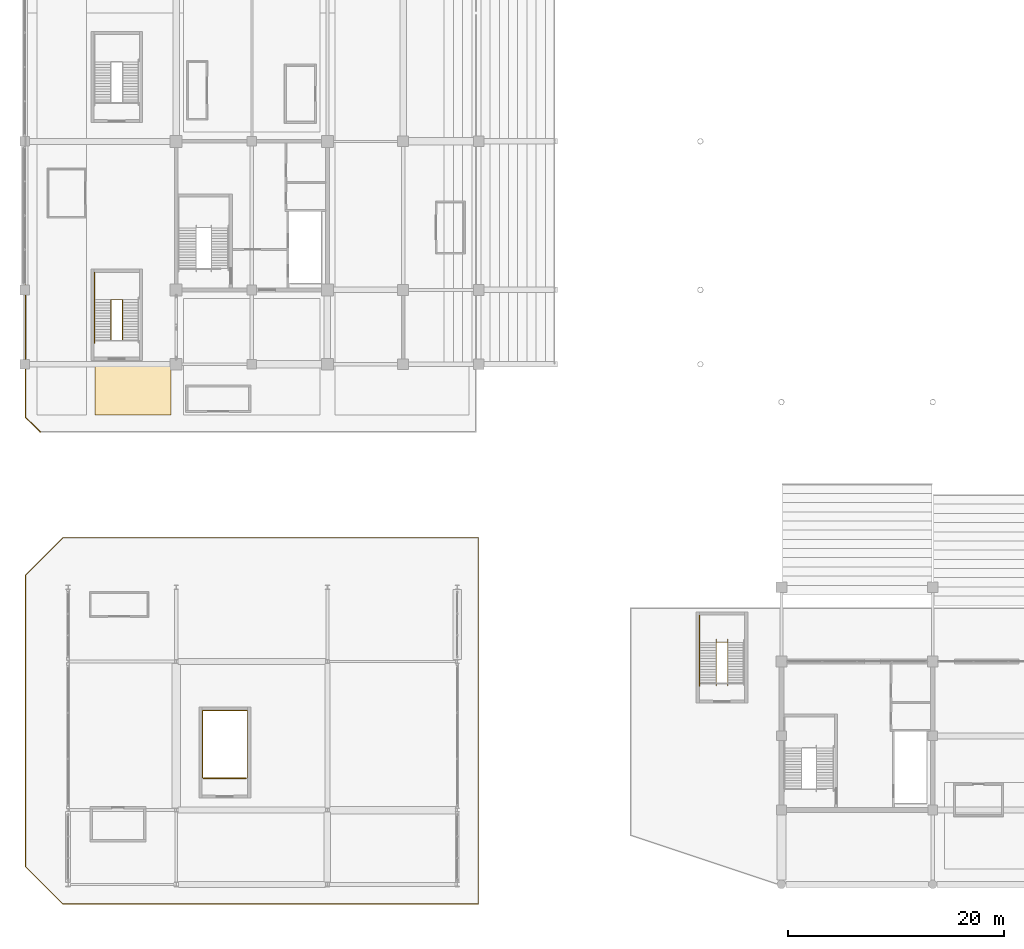
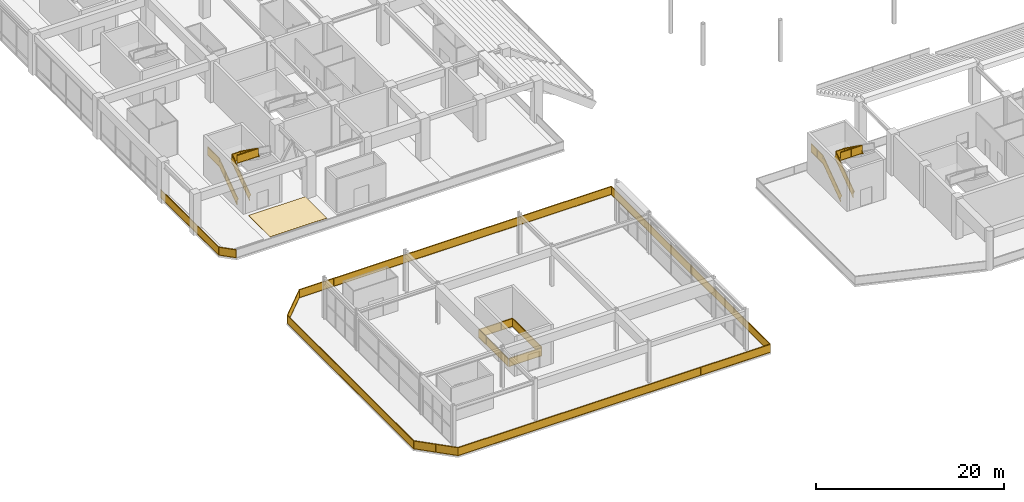
# One storey, part 103 of 117: 8 railings, 1 covering.
"""IFC4 building model written with IfcOpenShell, lengths in metres."""

from ifc_helpers import new_model, si_unit, direction, frame, origin, origin_2d, place, context, subcontext, project, spatial, polyline, rectangle, outline, extrude, material, layer, layer_set, type_object, element, save


model = new_model("IFC4")

# Units and contexts
model_context = context("Model", 3, precision=1e-05, world=origin(), true_north=direction((0.0, 1.0)))
body_context = subcontext(model_context, "Body", "Model", "MODEL_VIEW")
ifc_project = project(units=[si_unit("LENGTHUNIT", "METRE"), si_unit("AREAUNIT", "SQUARE_METRE"), si_unit("VOLUMEUNIT", "CUBIC_METRE"), si_unit("PLANEANGLEUNIT", "RADIAN"), si_unit("MASSUNIT", "GRAM", prefix="KILO")], contexts=[model_context])

# Site, building, storey
site_placement = place(None, origin())
site = spatial("IfcSite", under=ifc_project, at=site_placement, CompositionType="ELEMENT")
building_placement = place(site_placement, origin())
building = spatial("IfcBuilding", under=site, at=building_placement, Name="Linyun Crest Stadium", CompositionType="ELEMENT")
storey_placement = place(building_placement, frame((0.0, 0.0, 6.0)))
storey = spatial("IfcBuildingStorey", under=building, at=storey_placement, Name="L02", CompositionType="ELEMENT", Elevation=6.0)

# Covering
ifc_material_1 = material(Name="Terrazzo concourse and hospitality floor finish")
ifc_layer = layer(ifc_material_1, 0.02197265625)
ifc_layer_set = layer_set([ifc_layer], Name="Terrazzo concourse and hospitality floor finish")
covering_type = type_object("IfcCoveringType", Name="FLR02", PredefinedType="FLOORING", material=ifc_layer_set)
covering_placement = place(storey_placement, origin())
element("IfcCovering", 1, at=covering_placement, inside=storey, type_object=covering_type, Name="Terrazzo flooring FLR02 60", PredefinedType="FLOORING", context=body_context, shape_type="SweptSolid", body=[
    extrude(outline(polyline([(-91.5, -50.699951171875), (-84.5, -50.699951171875), (-84.5, -46.10009765625), (-91.5, -46.10009765625), (-91.5, -50.699951171875)])), origin(), (0.0, 0.0, 1.0), 0.02197265625),
])

# Railings
ifc_material_2 = material(Name="Galvanized and powder-coated steel bowl safety barrier", Category="steel")
railing_type_1 = type_object("IfcRailingType", Name="GR02", PredefinedType="GUARDRAIL", material=ifc_material_2)
railing_1_placement = place(storey_placement, frame((-96.574951171875, -52.27490234375, 0.0)))
element("IfcRailing", 2, at=railing_1_placement, inside=storey, type_object=railing_type_1, Name="Slab edge balustrade GR02 19", PredefinedType="GUARDRAIL", context=body_context, shape_type="SweptSolid", body=[
    extrude(rectangle(XDim=0.06005859375, YDim=0.06005859375, at=origin_2d()), frame((0.0, 0.0, 1.090087890625), z_axis=(-0.707106781187, 0.707106781187, 0.0), x_axis=(-0.707106781187, -0.707106781187, 0.0)), (0.0, 0.0, 1.0), 1.930419921875),
    extrude(rectangle(XDim=0.030029296875, YDim=1.0, at=origin_2d()), frame((0.0, 0.0, 0.56005859375), z_axis=(-0.707106781187, 0.707106781187, 0.0), x_axis=(-0.707106781187, -0.707106781187, 0.0)), (0.0, 0.0, 1.0), 1.930419921875),
    extrude(rectangle(XDim=0.06005859375, YDim=0.06005859375, at=origin_2d()), frame((0.0, 0.0, 0.030029296875), z_axis=(-0.707106781187, 0.707106781187, 0.0), x_axis=(-0.707106781187, -0.707106781187, 0.0)), (0.0, 0.0, 1.0), 1.930419921875),
    extrude(rectangle(XDim=0.06005859375, YDim=0.06005859375, at=origin_2d()), frame((-1.364990234375, 1.364990234375, 1.090087890625), z_axis=(0.0, 1.0, 0.0), x_axis=(-1.0, 0.0, 0.0)), (0.0, 0.0, 1.0), 12.3349609375),
    extrude(rectangle(XDim=0.030029296875, YDim=1.0, at=origin_2d()), frame((-1.364990234375, 1.364990234375, 0.56005859375), z_axis=(0.0, 1.0, 0.0), x_axis=(-1.0, 0.0, 0.0)), (0.0, 0.0, 1.0), 12.3349609375),
    extrude(rectangle(XDim=0.06005859375, YDim=0.06005859375, at=origin_2d()), frame((-1.364990234375, 1.364990234375, 0.030029296875), z_axis=(0.0, 1.0, 0.0), x_axis=(-1.0, 0.0, 0.0)), (0.0, 0.0, 1.0), 12.3349609375),
    extrude(rectangle(XDim=0.050048828125, YDim=0.050048828125, at=origin_2d()), origin(), (0.0, 0.0, 1.0), 1.1201171875),
    extrude(rectangle(XDim=0.050048828125, YDim=0.050048828125, at=origin_2d()), frame((-1.364990234375, 1.364990234375, 0.0)), (0.0, 0.0, 1.0), 1.1201171875),
    extrude(rectangle(XDim=0.050048828125, YDim=0.050048828125, at=origin_2d()), frame((-1.364990234375, 5.4765625, 0.0)), (0.0, 0.0, 1.0), 1.1201171875),
    extrude(rectangle(XDim=0.050048828125, YDim=0.050048828125, at=origin_2d()), frame((-1.364990234375, 9.58837890625, 0.0)), (0.0, 0.0, 1.0), 1.1201171875),
    extrude(rectangle(XDim=0.050048828125, YDim=0.050048828125, at=origin_2d()), frame((-1.364990234375, 13.699951171875, 0.0)), (0.0, 0.0, 1.0), 1.1201171875),
])
railing_2_placement = place(storey_placement, frame((-94.47509765625, -95.93994140625, 0.0)))
element("IfcRailing", 3, at=railing_2_placement, inside=storey, type_object=railing_type_1, Name="Slab edge balustrade GR02 381", PredefinedType="GUARDRAIL", context=body_context, shape_type="SweptSolid", body=[
    extrude(rectangle(XDim=0.06005859375, YDim=0.06005859375, at=origin_2d()), frame((0.0, 0.0, 1.090087890625), z_axis=(-0.707106781187, 0.707106781187, 0.0), x_axis=(-0.707106781187, -0.707106781187, 0.0)), (0.0, 0.0, 1.0), 4.900146484375),
    extrude(rectangle(XDim=0.030029296875, YDim=1.0, at=origin_2d()), frame((0.0, 0.0, 0.56005859375), z_axis=(-0.707106781187, 0.707106781187, 0.0), x_axis=(-0.707106781187, -0.707106781187, 0.0)), (0.0, 0.0, 1.0), 4.900146484375),
    extrude(rectangle(XDim=0.06005859375, YDim=0.06005859375, at=origin_2d()), frame((0.0, 0.0, 0.030029296875), z_axis=(-0.707106781187, 0.707106781187, 0.0), x_axis=(-0.707106781187, -0.707106781187, 0.0)), (0.0, 0.0, 1.0), 4.900146484375),
    extrude(rectangle(XDim=0.06005859375, YDim=0.06005859375, at=origin_2d()), frame((-3.46484375, 3.46484375, 1.090087890625), z_axis=(0.0, 1.0, 0.0), x_axis=(-1.0, 0.0, 0.0)), (0.0, 0.0, 1.0), 26.9501953125),
    extrude(rectangle(XDim=0.030029296875, YDim=1.0, at=origin_2d()), frame((-3.46484375, 3.46484375, 0.56005859375), z_axis=(0.0, 1.0, 0.0), x_axis=(-1.0, 0.0, 0.0)), (0.0, 0.0, 1.0), 26.9501953125),
    extrude(rectangle(XDim=0.06005859375, YDim=0.06005859375, at=origin_2d()), frame((-3.46484375, 3.46484375, 0.030029296875), z_axis=(0.0, 1.0, 0.0), x_axis=(-1.0, 0.0, 0.0)), (0.0, 0.0, 1.0), 26.9501953125),
    extrude(rectangle(XDim=0.06005859375, YDim=0.06005859375, at=origin_2d()), frame((-3.46484375, 30.4150390625, 1.090087890625), z_axis=(0.707106781187, 0.707106781187, 0.0), x_axis=(-0.707106781187, 0.707106781187, 0.0)), (0.0, 0.0, 1.0), 4.900146484375),
    extrude(rectangle(XDim=0.030029296875, YDim=1.0, at=origin_2d()), frame((-3.46484375, 30.4150390625, 0.56005859375), z_axis=(0.707106781187, 0.707106781187, 0.0), x_axis=(-0.707106781187, 0.707106781187, 0.0)), (0.0, 0.0, 1.0), 4.900146484375),
    extrude(rectangle(XDim=0.06005859375, YDim=0.06005859375, at=origin_2d()), frame((-3.46484375, 30.4150390625, 0.030029296875), z_axis=(0.707106781187, 0.707106781187, 0.0), x_axis=(-0.707106781187, 0.707106781187, 0.0)), (0.0, 0.0, 1.0), 4.900146484375),
    extrude(rectangle(XDim=0.06005859375, YDim=0.06005859375, at=origin_2d()), frame((0.0, 33.8798828125, 1.090087890625), z_axis=(1.0, 0.0, 0.0), x_axis=(0.0, 1.0, 0.0)), (0.0, 0.0, 1.0), 38.4150390625),
    extrude(rectangle(XDim=0.030029296875, YDim=1.0, at=origin_2d()), frame((0.0, 33.8798828125, 0.56005859375), z_axis=(1.0, 0.0, 0.0), x_axis=(0.0, 1.0, 0.0)), (0.0, 0.0, 1.0), 38.4150390625),
    extrude(rectangle(XDim=0.06005859375, YDim=0.06005859375, at=origin_2d()), frame((0.0, 33.8798828125, 0.030029296875), z_axis=(1.0, 0.0, 0.0), x_axis=(0.0, 1.0, 0.0)), (0.0, 0.0, 1.0), 38.4150390625),
    extrude(rectangle(XDim=0.06005859375, YDim=0.06005859375, at=origin_2d()), frame((38.4150390625, 33.8798828125, 1.090087890625), z_axis=(0.0, -1.0, 0.0), x_axis=(1.0, 0.0, 0.0)), (0.0, 0.0, 1.0), 33.8798828125),
    extrude(rectangle(XDim=0.030029296875, YDim=1.0, at=origin_2d()), frame((38.4150390625, 33.8798828125, 0.56005859375), z_axis=(0.0, -1.0, 0.0), x_axis=(1.0, 0.0, 0.0)), (0.0, 0.0, 1.0), 33.8798828125),
    extrude(rectangle(XDim=0.06005859375, YDim=0.06005859375, at=origin_2d()), frame((38.4150390625, 33.8798828125, 0.030029296875), z_axis=(0.0, -1.0, 0.0), x_axis=(1.0, 0.0, 0.0)), (0.0, 0.0, 1.0), 33.8798828125),
    extrude(rectangle(XDim=0.06005859375, YDim=0.06005859375, at=origin_2d()), frame((38.4150390625, 0.0, 1.090087890625), z_axis=(-1.0, 0.0, 0.0), x_axis=(0.0, -1.0, 0.0)), (0.0, 0.0, 1.0), 38.4150390625),
    extrude(rectangle(XDim=0.030029296875, YDim=1.0, at=origin_2d()), frame((38.4150390625, 0.0, 0.56005859375), z_axis=(-1.0, 0.0, 0.0), x_axis=(0.0, -1.0, 0.0)), (0.0, 0.0, 1.0), 38.4150390625),
    extrude(rectangle(XDim=0.06005859375, YDim=0.06005859375, at=origin_2d()), frame((38.4150390625, 0.0, 0.030029296875), z_axis=(-1.0, 0.0, 0.0), x_axis=(0.0, -1.0, 0.0)), (0.0, 0.0, 1.0), 38.4150390625),
    extrude(rectangle(XDim=0.050048828125, YDim=0.050048828125, at=origin_2d()), origin(), (0.0, 0.0, 1.0), 1.1201171875),
    extrude(rectangle(XDim=0.050048828125, YDim=0.050048828125, at=origin_2d()), frame((-1.732421875, 1.732421875, 0.0)), (0.0, 0.0, 1.0), 1.1201171875),
    extrude(rectangle(XDim=0.050048828125, YDim=0.050048828125, at=origin_2d()), frame((-3.46484375, 3.46484375, 0.0)), (0.0, 0.0, 1.0), 1.1201171875),
    extrude(rectangle(XDim=0.050048828125, YDim=0.050048828125, at=origin_2d()), frame((-3.46484375, 7.95654296875, 0.0)), (0.0, 0.0, 1.0), 1.1201171875),
    extrude(rectangle(XDim=0.050048828125, YDim=0.050048828125, at=origin_2d()), frame((-3.46484375, 12.4482421875, 0.0)), (0.0, 0.0, 1.0), 1.1201171875),
    extrude(rectangle(XDim=0.050048828125, YDim=0.050048828125, at=origin_2d()), frame((-3.46484375, 16.93994140625, 0.0)), (0.0, 0.0, 1.0), 1.1201171875),
    extrude(rectangle(XDim=0.050048828125, YDim=0.050048828125, at=origin_2d()), frame((-3.46484375, 21.431640625, 0.0)), (0.0, 0.0, 1.0), 1.1201171875),
    extrude(rectangle(XDim=0.050048828125, YDim=0.050048828125, at=origin_2d()), frame((-3.46484375, 25.92333984375, 0.0)), (0.0, 0.0, 1.0), 1.1201171875),
    extrude(rectangle(XDim=0.050048828125, YDim=0.050048828125, at=origin_2d()), frame((-3.46484375, 30.4150390625, 0.0)), (0.0, 0.0, 1.0), 1.1201171875),
    extrude(rectangle(XDim=0.050048828125, YDim=0.050048828125, at=origin_2d()), frame((-1.732421875, 32.1474609375, 0.0)), (0.0, 0.0, 1.0), 1.1201171875),
    extrude(rectangle(XDim=0.050048828125, YDim=0.050048828125, at=origin_2d()), frame((0.0, 33.8798828125, 0.0)), (0.0, 0.0, 1.0), 1.1201171875),
    extrude(rectangle(XDim=0.050048828125, YDim=0.050048828125, at=origin_2d()), frame((4.268310546875, 33.8798828125, 0.0)), (0.0, 0.0, 1.0), 1.1201171875),
    extrude(rectangle(XDim=0.050048828125, YDim=0.050048828125, at=origin_2d()), frame((8.53662109375, 33.8798828125, 0.0)), (0.0, 0.0, 1.0), 1.1201171875),
    extrude(rectangle(XDim=0.050048828125, YDim=0.050048828125, at=origin_2d()), frame((12.804931640625, 33.8798828125, 0.0)), (0.0, 0.0, 1.0), 1.1201171875),
    extrude(rectangle(XDim=0.050048828125, YDim=0.050048828125, at=origin_2d()), frame((17.0732421875, 33.8798828125, 0.0)), (0.0, 0.0, 1.0), 1.1201171875),
    extrude(rectangle(XDim=0.050048828125, YDim=0.050048828125, at=origin_2d()), frame((21.341796875, 33.8798828125, 0.0)), (0.0, 0.0, 1.0), 1.1201171875),
    extrude(rectangle(XDim=0.050048828125, YDim=0.050048828125, at=origin_2d()), frame((25.610107421875, 33.8798828125, 0.0)), (0.0, 0.0, 1.0), 1.1201171875),
    extrude(rectangle(XDim=0.050048828125, YDim=0.050048828125, at=origin_2d()), frame((29.87841796875, 33.8798828125, 0.0)), (0.0, 0.0, 1.0), 1.1201171875),
    extrude(rectangle(XDim=0.050048828125, YDim=0.050048828125, at=origin_2d()), frame((34.146728515625, 33.8798828125, 0.0)), (0.0, 0.0, 1.0), 1.1201171875),
    extrude(rectangle(XDim=0.050048828125, YDim=0.050048828125, at=origin_2d()), frame((38.4150390625, 33.8798828125, 0.0)), (0.0, 0.0, 1.0), 1.1201171875),
    extrude(rectangle(XDim=0.050048828125, YDim=0.050048828125, at=origin_2d()), frame((38.4150390625, 29.64501953125, 0.0)), (0.0, 0.0, 1.0), 1.1201171875),
    extrude(rectangle(XDim=0.050048828125, YDim=0.050048828125, at=origin_2d()), frame((38.4150390625, 25.409912109375, 0.0)), (0.0, 0.0, 1.0), 1.1201171875),
    extrude(rectangle(XDim=0.050048828125, YDim=0.050048828125, at=origin_2d()), frame((38.4150390625, 21.1748046875, 0.0)), (0.0, 0.0, 1.0), 1.1201171875),
    extrude(rectangle(XDim=0.050048828125, YDim=0.050048828125, at=origin_2d()), frame((38.4150390625, 16.93994140625, 0.0)), (0.0, 0.0, 1.0), 1.1201171875),
    extrude(rectangle(XDim=0.050048828125, YDim=0.050048828125, at=origin_2d()), frame((38.4150390625, 12.705078125, 0.0)), (0.0, 0.0, 1.0), 1.1201171875),
    extrude(rectangle(XDim=0.050048828125, YDim=0.050048828125, at=origin_2d()), frame((38.4150390625, 8.469970703125, 0.0)), (0.0, 0.0, 1.0), 1.1201171875),
    extrude(rectangle(XDim=0.050048828125, YDim=0.050048828125, at=origin_2d()), frame((38.4150390625, 4.23486328125, 0.0)), (0.0, 0.0, 1.0), 1.1201171875),
    extrude(rectangle(XDim=0.050048828125, YDim=0.050048828125, at=origin_2d()), frame((38.4150390625, 0.0, 0.0)), (0.0, 0.0, 1.0), 1.1201171875),
    extrude(rectangle(XDim=0.050048828125, YDim=0.050048828125, at=origin_2d()), frame((34.146728515625, 0.0, 0.0)), (0.0, 0.0, 1.0), 1.1201171875),
    extrude(rectangle(XDim=0.050048828125, YDim=0.050048828125, at=origin_2d()), frame((29.87841796875, 0.0, 0.0)), (0.0, 0.0, 1.0), 1.1201171875),
    extrude(rectangle(XDim=0.050048828125, YDim=0.050048828125, at=origin_2d()), frame((25.610107421875, 0.0, 0.0)), (0.0, 0.0, 1.0), 1.1201171875),
    extrude(rectangle(XDim=0.050048828125, YDim=0.050048828125, at=origin_2d()), frame((21.341796875, 0.0, 0.0)), (0.0, 0.0, 1.0), 1.1201171875),
    extrude(rectangle(XDim=0.050048828125, YDim=0.050048828125, at=origin_2d()), frame((17.0732421875, 0.0, 0.0)), (0.0, 0.0, 1.0), 1.1201171875),
    extrude(rectangle(XDim=0.050048828125, YDim=0.050048828125, at=origin_2d()), frame((12.804931640625, 0.0, 0.0)), (0.0, 0.0, 1.0), 1.1201171875),
    extrude(rectangle(XDim=0.050048828125, YDim=0.050048828125, at=origin_2d()), frame((8.53662109375, 0.0, 0.0)), (0.0, 0.0, 1.0), 1.1201171875),
    extrude(rectangle(XDim=0.050048828125, YDim=0.050048828125, at=origin_2d()), frame((4.268310546875, 0.0, 0.0)), (0.0, 0.0, 1.0), 1.1201171875),
])
railing_3_placement = place(storey_placement, frame((-81.4599609375, -84.31005859375, 0.0)))
element("IfcRailing", 4, at=railing_3_placement, inside=storey, type_object=railing_type_1, Name="Slab edge balustrade GR02 382", PredefinedType="GUARDRAIL", context=body_context, shape_type="SweptSolid", body=[
    extrude(rectangle(XDim=0.06005859375, YDim=0.06005859375, at=origin_2d()), frame((0.0, 0.0, 1.090087890625), z_axis=(1.0, 0.0, 0.0), x_axis=(0.0, 1.0, 0.0)), (0.0, 0.0, 1.0), 3.919921875),
    extrude(rectangle(XDim=0.030029296875, YDim=1.0, at=origin_2d()), frame((0.0, 0.0, 0.56005859375), z_axis=(1.0, 0.0, 0.0), x_axis=(0.0, 1.0, 0.0)), (0.0, 0.0, 1.0), 3.919921875),
    extrude(rectangle(XDim=0.06005859375, YDim=0.06005859375, at=origin_2d()), frame((0.0, 0.0, 0.030029296875), z_axis=(1.0, 0.0, 0.0), x_axis=(0.0, 1.0, 0.0)), (0.0, 0.0, 1.0), 3.919921875),
    extrude(rectangle(XDim=0.050048828125, YDim=0.050048828125, at=origin_2d()), origin(), (0.0, 0.0, 1.0), 1.1201171875),
    extrude(rectangle(XDim=0.050048828125, YDim=0.050048828125, at=origin_2d()), frame((3.919921875, 0.0, 0.0)), (0.0, 0.0, 1.0), 1.1201171875),
])
ifc_material_3 = material(Name="Painted steel stairwell safety guard", Category="steel")
railing_type_2 = type_object("IfcRailingType", Name="GR03", PredefinedType="GUARDRAIL", material=ifc_material_3)
railing_4_placement = place(storey_placement, frame((-91.570068359375, -43.780029296875, 0.0)))
element("IfcRailing", 5, at=railing_4_placement, inside=storey, type_object=railing_type_2, Name="STR-13-L02 outer guard", PredefinedType="GUARDRAIL", context=body_context, shape_type="SweptSolid", body=[
    extrude(rectangle(XDim=0.06005859375, YDim=0.06005859375, at=origin_2d()), frame((0.0, 0.0, 1.090087890625), z_axis=(0.0, 0.811539352079, 0.584297766578), x_axis=(-1.0, 0.0, 0.0)), (0.0, 0.0, 1.0), 4.620849609375),
    extrude(rectangle(XDim=0.030029296875, YDim=1.0, at=origin_2d()), frame((0.0, 0.0, 0.56005859375), z_axis=(0.0, 0.811539352079, 0.584297766578), x_axis=(-1.0, 0.0, 0.0)), (0.0, 0.0, 1.0), 4.620849609375),
    extrude(rectangle(XDim=0.06005859375, YDim=0.06005859375, at=origin_2d()), frame((0.0, 0.0, 0.030029296875), z_axis=(0.0, 0.811539352079, 0.584297766578), x_axis=(-1.0, 0.0, 0.0)), (0.0, 0.0, 1.0), 4.620849609375),
    extrude(rectangle(XDim=0.06005859375, YDim=0.06005859375, at=origin_2d()), frame((0.0, 3.75, 3.7900390625), z_axis=(0.0, 1.0, 0.0), x_axis=(-1.0, 0.0, 0.0)), (0.0, 0.0, 1.0), 2.5),
    extrude(rectangle(XDim=0.030029296875, YDim=1.0, at=origin_2d()), frame((0.0, 3.75, 3.260009765625), z_axis=(0.0, 1.0, 0.0), x_axis=(-1.0, 0.0, 0.0)), (0.0, 0.0, 1.0), 2.5),
    extrude(rectangle(XDim=0.06005859375, YDim=0.06005859375, at=origin_2d()), frame((0.0, 3.75, 2.72998046875), z_axis=(0.0, 1.0, 0.0), x_axis=(-1.0, 0.0, 0.0)), (0.0, 0.0, 1.0), 2.5),
    extrude(rectangle(XDim=0.050048828125, YDim=0.050048828125, at=origin_2d()), origin(), (0.0, 0.0, 1.0), 1.1201171875),
    extrude(rectangle(XDim=0.050048828125, YDim=0.050048828125, at=origin_2d()), frame((0.0, 1.25, 0.89990234375)), (0.0, 0.0, 1.0), 1.1201171875),
    extrude(rectangle(XDim=0.050048828125, YDim=0.050048828125, at=origin_2d()), frame((0.0, 2.5, 1.800048828125)), (0.0, 0.0, 1.0), 1.1201171875),
    extrude(rectangle(XDim=0.050048828125, YDim=0.050048828125, at=origin_2d()), frame((0.0, 3.75, 2.699951171875)), (0.0, 0.0, 1.0), 1.1201171875),
    extrude(rectangle(XDim=0.050048828125, YDim=0.050048828125, at=origin_2d()), frame((0.0, 5.0, 2.699951171875)), (0.0, 0.0, 1.0), 1.1201171875),
    extrude(rectangle(XDim=0.050048828125, YDim=0.050048828125, at=origin_2d()), frame((0.0, 6.25, 2.699951171875)), (0.0, 0.0, 1.0), 1.1201171875),
])
railing_5_placement = place(storey_placement, frame((-90.030029296875, -43.800048828125, 0.0)))
element("IfcRailing", 6, at=railing_5_placement, inside=storey, type_object=railing_type_2, Name="STR-13-L02 inner well guard", PredefinedType="GUARDRAIL", context=body_context, shape_type="SweptSolid", body=[
    extrude(rectangle(XDim=0.06005859375, YDim=0.06005859375, at=origin_2d()), frame((0.0, 0.0, 1.090087890625), z_axis=(0.0, 0.813010693788, 0.582248754216), x_axis=(-1.0, 0.0, 0.0)), (0.0, 0.0, 1.0), 4.63720703125),
    extrude(rectangle(XDim=0.030029296875, YDim=1.0, at=origin_2d()), frame((0.0, 0.0, 0.56005859375), z_axis=(0.0, 0.813010693788, 0.582248754216), x_axis=(-1.0, 0.0, 0.0)), (0.0, 0.0, 1.0), 4.63720703125),
    extrude(rectangle(XDim=0.06005859375, YDim=0.06005859375, at=origin_2d()), frame((0.0, 0.0, 0.030029296875), z_axis=(0.0, 0.813010693788, 0.582248754216), x_axis=(-1.0, 0.0, 0.0)), (0.0, 0.0, 1.0), 4.63720703125),
    extrude(rectangle(XDim=0.06005859375, YDim=0.06005859375, at=origin_2d()), frame((0.0, 3.77001953125, 3.7900390625), z_axis=(1.0, 0.0, 0.0), x_axis=(0.0, 1.0, 0.0)), (0.0, 0.0, 1.0), 1.06005859375),
    extrude(rectangle(XDim=0.030029296875, YDim=1.0, at=origin_2d()), frame((0.0, 3.77001953125, 3.260009765625), z_axis=(1.0, 0.0, 0.0), x_axis=(0.0, 1.0, 0.0)), (0.0, 0.0, 1.0), 1.06005859375),
    extrude(rectangle(XDim=0.06005859375, YDim=0.06005859375, at=origin_2d()), frame((0.0, 3.77001953125, 2.72998046875), z_axis=(1.0, 0.0, 0.0), x_axis=(0.0, 1.0, 0.0)), (0.0, 0.0, 1.0), 1.06005859375),
    extrude(rectangle(XDim=0.06005859375, YDim=0.06005859375, at=origin_2d()), frame((1.06005859375, 3.77001953125, 3.7900390625), z_axis=(0.0, -0.813010693788, 0.582248754216), x_axis=(1.0, 0.0, 0.0)), (0.0, 0.0, 1.0), 4.63720703125),
    extrude(rectangle(XDim=0.030029296875, YDim=1.0, at=origin_2d()), frame((1.06005859375, 3.77001953125, 3.260009765625), z_axis=(0.0, -0.813010693788, 0.582248754216), x_axis=(1.0, 0.0, 0.0)), (0.0, 0.0, 1.0), 4.63720703125),
    extrude(rectangle(XDim=0.06005859375, YDim=0.06005859375, at=origin_2d()), frame((1.06005859375, 3.77001953125, 2.72998046875), z_axis=(0.0, -0.813010693788, 0.582248754216), x_axis=(1.0, 0.0, 0.0)), (0.0, 0.0, 1.0), 4.63720703125),
    extrude(rectangle(XDim=0.06005859375, YDim=0.06005859375, at=origin_2d()), frame((1.06005859375, 0.0, 6.489990234375), z_axis=(-1.0, 0.0, 0.0), x_axis=(0.0, -1.0, 0.0)), (0.0, 0.0, 1.0), 2.610107421875),
    extrude(rectangle(XDim=0.030029296875, YDim=1.0, at=origin_2d()), frame((1.06005859375, 0.0, 5.9599609375), z_axis=(-1.0, 0.0, 0.0), x_axis=(0.0, -1.0, 0.0)), (0.0, 0.0, 1.0), 2.610107421875),
    extrude(rectangle(XDim=0.06005859375, YDim=0.06005859375, at=origin_2d()), frame((1.06005859375, 0.0, 5.429931640625), z_axis=(-1.0, 0.0, 0.0), x_axis=(0.0, -1.0, 0.0)), (0.0, 0.0, 1.0), 2.610107421875),
    extrude(rectangle(XDim=0.050048828125, YDim=0.050048828125, at=origin_2d()), origin(), (0.0, 0.0, 1.0), 1.1201171875),
    extrude(rectangle(XDim=0.050048828125, YDim=0.050048828125, at=origin_2d()), frame((0.0, 1.256591796875, 0.89990234375)), (0.0, 0.0, 1.0), 1.1201171875),
    extrude(rectangle(XDim=0.050048828125, YDim=0.050048828125, at=origin_2d()), frame((0.0, 2.513427734375, 1.800048828125)), (0.0, 0.0, 1.0), 1.1201171875),
    extrude(rectangle(XDim=0.050048828125, YDim=0.050048828125, at=origin_2d()), frame((0.0, 3.77001953125, 2.699951171875)), (0.0, 0.0, 1.0), 1.1201171875),
    extrude(rectangle(XDim=0.050048828125, YDim=0.050048828125, at=origin_2d()), frame((1.06005859375, 3.77001953125, 2.699951171875)), (0.0, 0.0, 1.0), 1.1201171875),
    extrude(rectangle(XDim=0.050048828125, YDim=0.050048828125, at=origin_2d()), frame((1.06005859375, 2.513427734375, 3.599853515625)), (0.0, 0.0, 1.0), 1.1201171875),
    extrude(rectangle(XDim=0.050048828125, YDim=0.050048828125, at=origin_2d()), frame((1.06005859375, 1.256591796875, 4.5)), (0.0, 0.0, 1.0), 1.1201171875),
    extrude(rectangle(XDim=0.050048828125, YDim=0.050048828125, at=origin_2d()), frame((1.06005859375, 0.0, 5.39990234375)), (0.0, 0.0, 1.0), 1.1201171875),
    extrude(rectangle(XDim=0.050048828125, YDim=0.050048828125, at=origin_2d()), frame((-0.2451171875, 0.0, 5.39990234375)), (0.0, 0.0, 1.0), 1.1201171875),
    extrude(rectangle(XDim=0.050048828125, YDim=0.050048828125, at=origin_2d()), frame((-1.550048828125, 0.0, 5.39990234375)), (0.0, 0.0, 1.0), 1.1201171875),
])
railing_6_placement = place(storey_placement, frame((-35.570068359375, -75.47998046875, 0.0)))
element("IfcRailing", 7, at=railing_6_placement, inside=storey, type_object=railing_type_2, Name="STR-27-L02 outer guard", PredefinedType="GUARDRAIL", context=body_context, shape_type="SweptSolid", body=[
    extrude(rectangle(XDim=0.06005859375, YDim=0.06005859375, at=origin_2d()), frame((0.0, 0.0, 1.090087890625), z_axis=(0.0, 0.811539352079, 0.584297766578), x_axis=(-1.0, 0.0, 0.0)), (0.0, 0.0, 1.0), 4.620849609375),
    extrude(rectangle(XDim=0.030029296875, YDim=1.0, at=origin_2d()), frame((0.0, 0.0, 0.56005859375), z_axis=(0.0, 0.811539352079, 0.584297766578), x_axis=(-1.0, 0.0, 0.0)), (0.0, 0.0, 1.0), 4.620849609375),
    extrude(rectangle(XDim=0.06005859375, YDim=0.06005859375, at=origin_2d()), frame((0.0, 0.0, 0.030029296875), z_axis=(0.0, 0.811539352079, 0.584297766578), x_axis=(-1.0, 0.0, 0.0)), (0.0, 0.0, 1.0), 4.620849609375),
    extrude(rectangle(XDim=0.06005859375, YDim=0.06005859375, at=origin_2d()), frame((0.0, 3.75, 3.7900390625), z_axis=(0.0, 1.0, 0.0), x_axis=(-1.0, 0.0, 0.0)), (0.0, 0.0, 1.0), 2.5),
    extrude(rectangle(XDim=0.030029296875, YDim=1.0, at=origin_2d()), frame((0.0, 3.75, 3.260009765625), z_axis=(0.0, 1.0, 0.0), x_axis=(-1.0, 0.0, 0.0)), (0.0, 0.0, 1.0), 2.5),
    extrude(rectangle(XDim=0.06005859375, YDim=0.06005859375, at=origin_2d()), frame((0.0, 3.75, 2.72998046875), z_axis=(0.0, 1.0, 0.0), x_axis=(-1.0, 0.0, 0.0)), (0.0, 0.0, 1.0), 2.5),
    extrude(rectangle(XDim=0.050048828125, YDim=0.050048828125, at=origin_2d()), origin(), (0.0, 0.0, 1.0), 1.1201171875),
    extrude(rectangle(XDim=0.050048828125, YDim=0.050048828125, at=origin_2d()), frame((0.0, 1.25, 0.89990234375)), (0.0, 0.0, 1.0), 1.1201171875),
    extrude(rectangle(XDim=0.050048828125, YDim=0.050048828125, at=origin_2d()), frame((0.0, 2.5, 1.800048828125)), (0.0, 0.0, 1.0), 1.1201171875),
    extrude(rectangle(XDim=0.050048828125, YDim=0.050048828125, at=origin_2d()), frame((0.0, 3.75, 2.699951171875)), (0.0, 0.0, 1.0), 1.1201171875),
    extrude(rectangle(XDim=0.050048828125, YDim=0.050048828125, at=origin_2d()), frame((0.0, 5.0, 2.699951171875)), (0.0, 0.0, 1.0), 1.1201171875),
    extrude(rectangle(XDim=0.050048828125, YDim=0.050048828125, at=origin_2d()), frame((0.0, 6.25, 2.699951171875)), (0.0, 0.0, 1.0), 1.1201171875),
])
railing_7_placement = place(storey_placement, frame((-34.030029296875, -75.5, 0.0)))
element("IfcRailing", 8, at=railing_7_placement, inside=storey, type_object=railing_type_2, Name="STR-27-L02 inner well guard", PredefinedType="GUARDRAIL", context=body_context, shape_type="SweptSolid", body=[
    extrude(rectangle(XDim=0.06005859375, YDim=0.06005859375, at=origin_2d()), frame((0.0, 0.0, 1.090087890625), z_axis=(0.0, 0.813010693788, 0.582248754216), x_axis=(-1.0, 0.0, 0.0)), (0.0, 0.0, 1.0), 4.63720703125),
    extrude(rectangle(XDim=0.030029296875, YDim=1.0, at=origin_2d()), frame((0.0, 0.0, 0.56005859375), z_axis=(0.0, 0.813010693788, 0.582248754216), x_axis=(-1.0, 0.0, 0.0)), (0.0, 0.0, 1.0), 4.63720703125),
    extrude(rectangle(XDim=0.06005859375, YDim=0.06005859375, at=origin_2d()), frame((0.0, 0.0, 0.030029296875), z_axis=(0.0, 0.813010693788, 0.582248754216), x_axis=(-1.0, 0.0, 0.0)), (0.0, 0.0, 1.0), 4.63720703125),
    extrude(rectangle(XDim=0.06005859375, YDim=0.06005859375, at=origin_2d()), frame((0.0, 3.77001953125, 3.7900390625), z_axis=(1.0, 0.0, 0.0), x_axis=(0.0, 1.0, 0.0)), (0.0, 0.0, 1.0), 1.06005859375),
    extrude(rectangle(XDim=0.030029296875, YDim=1.0, at=origin_2d()), frame((0.0, 3.77001953125, 3.260009765625), z_axis=(1.0, 0.0, 0.0), x_axis=(0.0, 1.0, 0.0)), (0.0, 0.0, 1.0), 1.06005859375),
    extrude(rectangle(XDim=0.06005859375, YDim=0.06005859375, at=origin_2d()), frame((0.0, 3.77001953125, 2.72998046875), z_axis=(1.0, 0.0, 0.0), x_axis=(0.0, 1.0, 0.0)), (0.0, 0.0, 1.0), 1.06005859375),
    extrude(rectangle(XDim=0.06005859375, YDim=0.06005859375, at=origin_2d()), frame((1.06005859375, 3.77001953125, 3.7900390625), z_axis=(0.0, -0.813010693788, 0.582248754216), x_axis=(1.0, 0.0, 0.0)), (0.0, 0.0, 1.0), 4.63720703125),
    extrude(rectangle(XDim=0.030029296875, YDim=1.0, at=origin_2d()), frame((1.06005859375, 3.77001953125, 3.260009765625), z_axis=(0.0, -0.813010693788, 0.582248754216), x_axis=(1.0, 0.0, 0.0)), (0.0, 0.0, 1.0), 4.63720703125),
    extrude(rectangle(XDim=0.06005859375, YDim=0.06005859375, at=origin_2d()), frame((1.06005859375, 3.77001953125, 2.72998046875), z_axis=(0.0, -0.813010693788, 0.582248754216), x_axis=(1.0, 0.0, 0.0)), (0.0, 0.0, 1.0), 4.63720703125),
    extrude(rectangle(XDim=0.06005859375, YDim=0.06005859375, at=origin_2d()), frame((1.06005859375, 0.0, 6.489990234375), z_axis=(-1.0, 0.0, 0.0), x_axis=(0.0, -1.0, 0.0)), (0.0, 0.0, 1.0), 2.610107421875),
    extrude(rectangle(XDim=0.030029296875, YDim=1.0, at=origin_2d()), frame((1.06005859375, 0.0, 5.9599609375), z_axis=(-1.0, 0.0, 0.0), x_axis=(0.0, -1.0, 0.0)), (0.0, 0.0, 1.0), 2.610107421875),
    extrude(rectangle(XDim=0.06005859375, YDim=0.06005859375, at=origin_2d()), frame((1.06005859375, 0.0, 5.429931640625), z_axis=(-1.0, 0.0, 0.0), x_axis=(0.0, -1.0, 0.0)), (0.0, 0.0, 1.0), 2.610107421875),
    extrude(rectangle(XDim=0.050048828125, YDim=0.050048828125, at=origin_2d()), origin(), (0.0, 0.0, 1.0), 1.1201171875),
    extrude(rectangle(XDim=0.050048828125, YDim=0.050048828125, at=origin_2d()), frame((0.0, 1.256591796875, 0.89990234375)), (0.0, 0.0, 1.0), 1.1201171875),
    extrude(rectangle(XDim=0.050048828125, YDim=0.050048828125, at=origin_2d()), frame((0.0, 2.513427734375, 1.800048828125)), (0.0, 0.0, 1.0), 1.1201171875),
    extrude(rectangle(XDim=0.050048828125, YDim=0.050048828125, at=origin_2d()), frame((0.0, 3.77001953125, 2.699951171875)), (0.0, 0.0, 1.0), 1.1201171875),
    extrude(rectangle(XDim=0.050048828125, YDim=0.050048828125, at=origin_2d()), frame((1.06005859375, 3.77001953125, 2.699951171875)), (0.0, 0.0, 1.0), 1.1201171875),
    extrude(rectangle(XDim=0.050048828125, YDim=0.050048828125, at=origin_2d()), frame((1.06005859375, 2.513427734375, 3.599853515625)), (0.0, 0.0, 1.0), 1.1201171875),
    extrude(rectangle(XDim=0.050048828125, YDim=0.050048828125, at=origin_2d()), frame((1.06005859375, 1.256591796875, 4.5)), (0.0, 0.0, 1.0), 1.1201171875),
    extrude(rectangle(XDim=0.050048828125, YDim=0.050048828125, at=origin_2d()), frame((1.06005859375, 0.0, 5.39990234375)), (0.0, 0.0, 1.0), 1.1201171875),
    extrude(rectangle(XDim=0.050048828125, YDim=0.050048828125, at=origin_2d()), frame((-0.2451171875, 0.0, 5.39990234375)), (0.0, 0.0, 1.0), 1.1201171875),
    extrude(rectangle(XDim=0.050048828125, YDim=0.050048828125, at=origin_2d()), frame((-1.550048828125, 0.0, 5.39990234375)), (0.0, 0.0, 1.0), 1.1201171875),
])
railing_8_placement = place(storey_placement, frame((-81.570068359375, -84.27001953125, 0.0)))
element("IfcRailing", 9, at=railing_8_placement, inside=storey, type_object=railing_type_2, Name="STR-30-L01 top well guard", PredefinedType="GUARDRAIL", context=body_context, shape_type="SweptSolid", body=[
    extrude(rectangle(XDim=0.06005859375, YDim=0.06005859375, at=origin_2d()), frame((0.0, 0.0, 1.090087890625), z_axis=(0.0, 1.0, 0.0), x_axis=(-1.0, 0.0, 0.0)), (0.0, 0.0, 1.0), 6.239990234375),
    extrude(rectangle(XDim=0.030029296875, YDim=1.0, at=origin_2d()), frame((0.0, 0.0, 0.56005859375), z_axis=(0.0, 1.0, 0.0), x_axis=(-1.0, 0.0, 0.0)), (0.0, 0.0, 1.0), 6.239990234375),
    extrude(rectangle(XDim=0.06005859375, YDim=0.06005859375, at=origin_2d()), frame((0.0, 0.0, 0.030029296875), z_axis=(0.0, 1.0, 0.0), x_axis=(-1.0, 0.0, 0.0)), (0.0, 0.0, 1.0), 6.239990234375),
    extrude(rectangle(XDim=0.06005859375, YDim=0.06005859375, at=origin_2d()), frame((0.0, 6.239990234375, 1.090087890625), z_axis=(1.0, 0.0, 0.0), x_axis=(0.0, 1.0, 0.0)), (0.0, 0.0, 1.0), 4.14013671875),
    extrude(rectangle(XDim=0.030029296875, YDim=1.0, at=origin_2d()), frame((0.0, 6.239990234375, 0.56005859375), z_axis=(1.0, 0.0, 0.0), x_axis=(0.0, 1.0, 0.0)), (0.0, 0.0, 1.0), 4.14013671875),
    extrude(rectangle(XDim=0.06005859375, YDim=0.06005859375, at=origin_2d()), frame((0.0, 6.239990234375, 0.030029296875), z_axis=(1.0, 0.0, 0.0), x_axis=(0.0, 1.0, 0.0)), (0.0, 0.0, 1.0), 4.14013671875),
    extrude(rectangle(XDim=0.06005859375, YDim=0.06005859375, at=origin_2d()), frame((4.14013671875, 6.239990234375, 1.090087890625), z_axis=(0.0, -1.0, 0.0), x_axis=(1.0, 0.0, 0.0)), (0.0, 0.0, 1.0), 6.239990234375),
    extrude(rectangle(XDim=0.030029296875, YDim=1.0, at=origin_2d()), frame((4.14013671875, 6.239990234375, 0.56005859375), z_axis=(0.0, -1.0, 0.0), x_axis=(1.0, 0.0, 0.0)), (0.0, 0.0, 1.0), 6.239990234375),
    extrude(rectangle(XDim=0.06005859375, YDim=0.06005859375, at=origin_2d()), frame((4.14013671875, 6.239990234375, 0.030029296875), z_axis=(0.0, -1.0, 0.0), x_axis=(1.0, 0.0, 0.0)), (0.0, 0.0, 1.0), 6.239990234375),
    extrude(rectangle(XDim=0.050048828125, YDim=0.050048828125, at=origin_2d()), origin(), (0.0, 0.0, 1.0), 1.1201171875),
    extrude(rectangle(XDim=0.050048828125, YDim=0.050048828125, at=origin_2d()), frame((0.0, 1.56005859375, 0.0)), (0.0, 0.0, 1.0), 1.1201171875),
    extrude(rectangle(XDim=0.050048828125, YDim=0.050048828125, at=origin_2d()), frame((0.0, 3.1201171875, 0.0)), (0.0, 0.0, 1.0), 1.1201171875),
    extrude(rectangle(XDim=0.050048828125, YDim=0.050048828125, at=origin_2d()), frame((0.0, 4.679931640625, 0.0)), (0.0, 0.0, 1.0), 1.1201171875),
    extrude(rectangle(XDim=0.050048828125, YDim=0.050048828125, at=origin_2d()), frame((0.0, 6.239990234375, 0.0)), (0.0, 0.0, 1.0), 1.1201171875),
    extrude(rectangle(XDim=0.050048828125, YDim=0.050048828125, at=origin_2d()), frame((1.380126953125, 6.239990234375, 0.0)), (0.0, 0.0, 1.0), 1.1201171875),
    extrude(rectangle(XDim=0.050048828125, YDim=0.050048828125, at=origin_2d()), frame((2.760009765625, 6.239990234375, 0.0)), (0.0, 0.0, 1.0), 1.1201171875),
    extrude(rectangle(XDim=0.050048828125, YDim=0.050048828125, at=origin_2d()), frame((4.14013671875, 6.239990234375, 0.0)), (0.0, 0.0, 1.0), 1.1201171875),
    extrude(rectangle(XDim=0.050048828125, YDim=0.050048828125, at=origin_2d()), frame((4.14013671875, 4.679931640625, 0.0)), (0.0, 0.0, 1.0), 1.1201171875),
    extrude(rectangle(XDim=0.050048828125, YDim=0.050048828125, at=origin_2d()), frame((4.14013671875, 3.1201171875, 0.0)), (0.0, 0.0, 1.0), 1.1201171875),
    extrude(rectangle(XDim=0.050048828125, YDim=0.050048828125, at=origin_2d()), frame((4.14013671875, 1.56005859375, 0.0)), (0.0, 0.0, 1.0), 1.1201171875),
    extrude(rectangle(XDim=0.050048828125, YDim=0.050048828125, at=origin_2d()), frame((4.14013671875, 0.0, 0.0)), (0.0, 0.0, 1.0), 1.1201171875),
])

save(model, "model.ifc")
